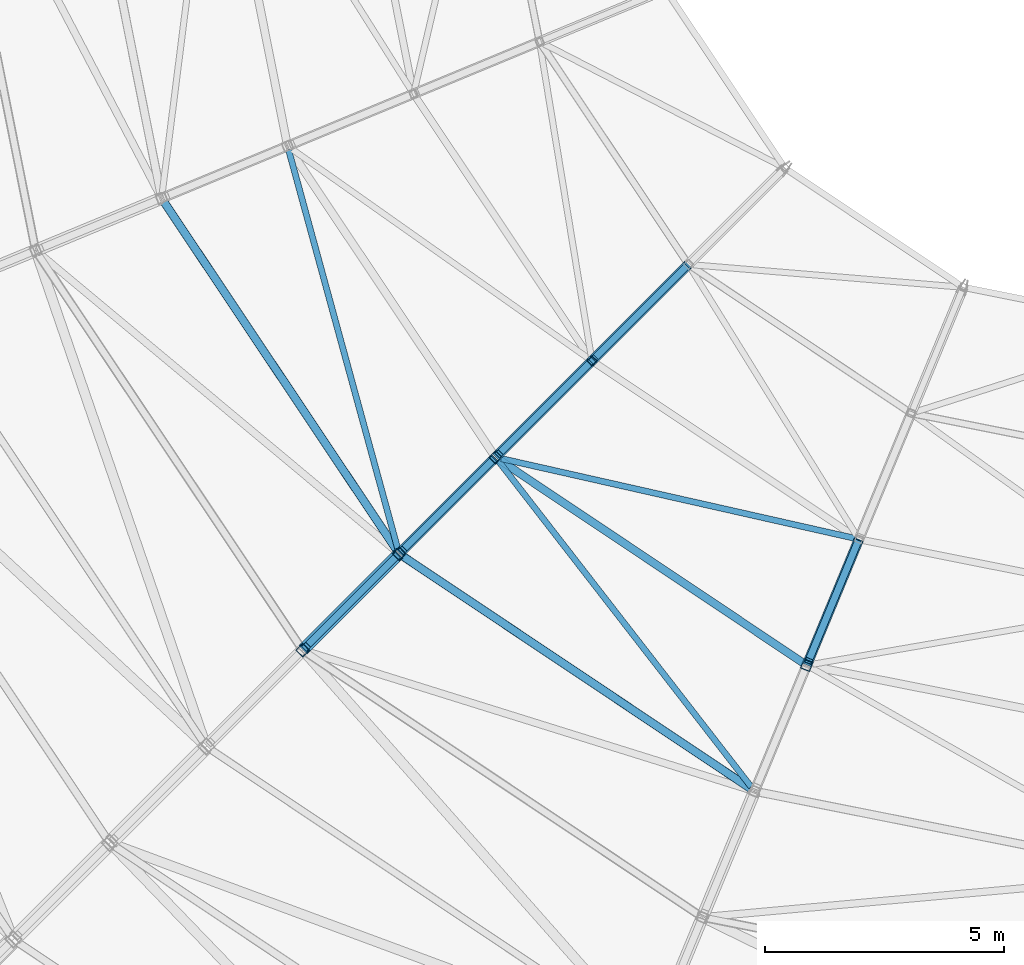
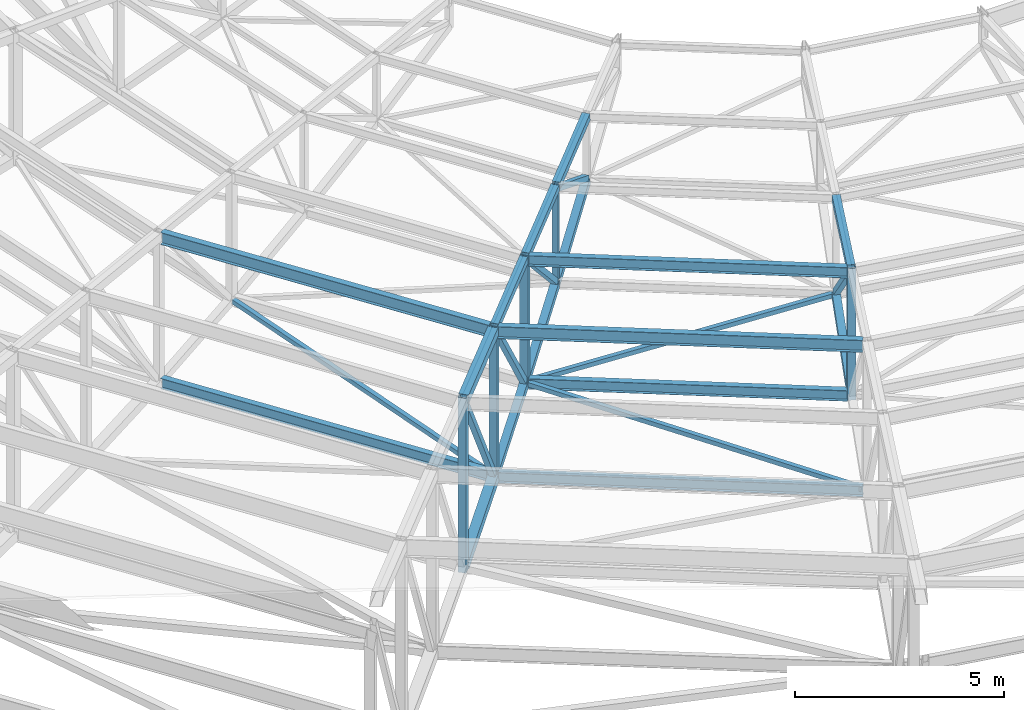
# One storey, part 13 of 278: 15 beams, 14 members.
"""IFC4 building model written with IfcOpenShell, lengths in metres."""

import ifcopenshell
import ifcopenshell.guid

model = None  # the IFC model being written
_history = None  # IfcOwnerHistory: only IFC2X3 demands one
_inside = {}  # id of a spatial element -> (the spatial element, [elements in it])
_under = {}  # id of a project, library or spatial element -> (it, [spatial elements below it])
_declared = {}  # id of a project -> (the project, [libraries it declares])
_typed = {}  # id of a type object -> (the type object, [elements of that type])
_made_of = {}  # id of a material, layer set ... -> (it, [elements and type objects made of it])


def new_model(schema):
    """Start an empty IFC model of exactly this schema.

    Asked for "IFC4X3", IfcOpenShell would pick the latest addendum, in which some entities
    have other attributes; the version numbers below select the first issue.
    IFC2X3 requires an IfcOwnerHistory on every rooted entity: one is made here for all.
    """
    global model, _history
    if schema == "IFC4X3":
        model = ifcopenshell.file(schema_version=(4, 3, 0, 0))
    else:
        model = ifcopenshell.file(schema=schema)
    _inside.clear()
    _under.clear()
    _declared.clear()
    _typed.clear()
    _made_of.clear()
    _history = None
    if model.schema == "IFC2X3":
        org = make("IfcOrganization", Name="unknown")
        user = make(
            "IfcPersonAndOrganization",
            ThePerson=make("IfcPerson", FamilyName="unknown"),
            TheOrganization=org,
        )
        app = make(
            "IfcApplication",
            ApplicationDeveloper=org,
            Version="unknown",
            ApplicationFullName="unknown",
            ApplicationIdentifier="unknown",
        )
        _history = make(
            "IfcOwnerHistory",
            OwningUser=user,
            OwningApplication=app,
            ChangeAction="ADDED",
            CreationDate=0,
        )
    return model


def make(cls, **values):
    """One entity of the class cls with the attributes given. An attribute that is None is left unset."""
    return model.create_entity(
        cls, **{name: value for name, value in values.items() if value is not None}
    )


def rooted(cls, **values):
    """An entity with a GlobalId (a new one), such as an element, a storey or a relation."""
    return make(cls, GlobalId=ifcopenshell.guid.new(), OwnerHistory=_history, **values)


def si_unit(unit_type, name, prefix=None):
    """IfcSIUnit, for example si_unit("LENGTHUNIT", "METRE", prefix="MILLI")."""
    return make("IfcSIUnit", UnitType=unit_type, Prefix=prefix, Name=name)


def assignment(units):
    """IfcUnitAssignment: the units of a project."""
    return None if units is None else make("IfcUnitAssignment", Units=units)


def point(xyz):
    """IfcCartesianPoint."""
    return None if xyz is None else make("IfcCartesianPoint", Coordinates=xyz)


def direction(xyz):
    """IfcDirection."""
    return None if xyz is None else make("IfcDirection", DirectionRatios=xyz)


def frame(location, z_axis=None, x_axis=None):
    """IfcAxis2Placement3D, a coordinate frame: its origin and axes. An axis left out is left unset."""
    return make(
        "IfcAxis2Placement3D",
        Location=point(location),
        Axis=direction(z_axis),
        RefDirection=direction(x_axis),
    )


def frame_2d(location, x_axis=None):
    """IfcAxis2Placement2D, a coordinate frame in the plane: its origin and x axis."""
    return make(
        "IfcAxis2Placement2D", Location=point(location), RefDirection=direction(x_axis)
    )


def origin():
    """The frame at (0, 0, 0) with its axes left unset."""
    return frame((0.0, 0.0, 0.0))


def origin_2d():
    """The frame at (0, 0) in the plane with its x axis left unset."""
    return frame_2d((0.0, 0.0))


def place(relative_to, where):
    """IfcLocalPlacement: puts the frame where relative to a parent placement (None: the world)."""
    return make(
        "IfcLocalPlacement", PlacementRelTo=relative_to, RelativePlacement=where
    )


def context(
    kind, dimensions, precision=None, world=None, true_north=None, identifier=None
):
    """IfcGeometricRepresentationContext, for example the 3D "Model" context."""
    return make(
        "IfcGeometricRepresentationContext",
        ContextIdentifier=identifier,
        ContextType=kind,
        CoordinateSpaceDimension=dimensions,
        Precision=precision,
        WorldCoordinateSystem=world,
        TrueNorth=true_north,
    )


def subcontext(parent, identifier, kind, view, scale=None):
    """IfcGeometricRepresentationSubContext, for example "Body" below "Model"."""
    return make(
        "IfcGeometricRepresentationSubContext",
        ContextIdentifier=identifier,
        ContextType=kind,
        ParentContext=parent,
        TargetScale=scale,
        TargetView=view,
    )


def project(units=None, contexts=None):
    """IfcProject with its units and contexts."""
    return rooted(
        "IfcProject",
        Name="project",
        RepresentationContexts=contexts,
        UnitsInContext=assignment(units),
    )


def spatial(cls, under=None, at=None, **own):
    """A site, building, storey or space (cls), placed at a placement, below another one or the project."""
    s = rooted(cls, ObjectPlacement=at, **own)
    if under is not None:
        _under.setdefault(under.id(), (under, []))[1].append(s)
    return s


def profile(cls, at=None, kind="AREA", **sizes):
    """A parametric profile (cls). Its sizes go by their IFC names, for example OverallWidth=200.0."""
    return make(cls, ProfileType=kind, Position=at, **sizes)


def hollow_rectangle(**sizes):
    """IfcRectangleHollowProfileDef."""
    return profile("IfcRectangleHollowProfileDef", **sizes)


def i_section(**sizes):
    """IfcIShapeProfileDef."""
    return profile("IfcIShapeProfileDef", **sizes)


def extrude(swept, where, along, depth):
    """IfcExtrudedAreaSolid: the profile swept, set in the frame where, extruded along a direction by depth."""
    return make(
        "IfcExtrudedAreaSolid",
        SweptArea=swept,
        Position=where,
        ExtrudedDirection=direction(along),
        Depth=depth,
    )


def shape(context_of_items, identifier, shape_type, items):
    """IfcShapeRepresentation: the items that make up one representation, for example the "Body"."""
    return make(
        "IfcShapeRepresentation",
        ContextOfItems=context_of_items,
        RepresentationIdentifier=identifier,
        RepresentationType=shape_type,
        Items=items,
    )


def material(Name=None, Category=None):
    """IfcMaterial."""
    return make("IfcMaterial", Name=Name, Category=Category)


def material_profile(
    of_material, cross_section, Name=None, Category=None, Priority=None
):
    """IfcMaterialProfile: a cross section and its material."""
    return make(
        "IfcMaterialProfile",
        Name=Name,
        Material=of_material,
        Profile=cross_section,
        Priority=Priority,
        Category=Category,
    )


def profile_set(profiles, Name=None, composite=None):
    """IfcMaterialProfileSet."""
    return make(
        "IfcMaterialProfileSet",
        Name=Name,
        MaterialProfiles=profiles,
        CompositeProfile=composite,
    )


def made_of(thing, what):
    """Note that an element or type object is made of a material, layer set ...; save() writes the relation."""
    if what is not None:
        _made_of.setdefault(what.id(), (what, []))[1].append(thing)
    return thing


def type_object(cls, material=None, **own):
    """A type object (cls), such as IfcWallType, which elements share."""
    return made_of(rooted(cls, **own), material)


def element(
    cls,
    number,
    at=None,
    inside=None,
    cuts=None,
    type_object=None,
    material=None,
    context=None,
    identifier="Body",
    shape_type=None,
    held_by="IfcProductDefinitionShape",
    body=None,
    shapes=None,
    **own,
):
    """One element of the class cls, such as IfcWall. Its Tag is "e" and its number.

    at: its placement. inside: the storey or other place that contains it. cuts: it is an
    opening in that element (IfcRelVoidsElement). A single representation is given by context,
    identifier, shape_type and body (its items); several are given by shapes. held_by: the class
    of the entity that holds the representations. save() writes the other relations.
    """
    e = rooted(cls, Tag="e%d" % number, ObjectPlacement=at, **own)
    if body is not None:
        shapes = [shape(context, identifier, shape_type, body)]
    if shapes is not None:
        e.Representation = make(held_by, Representations=shapes)
    if inside is not None:
        _inside.setdefault(inside.id(), (inside, []))[1].append(e)
    if cuts is not None:
        rooted(
            "IfcRelVoidsElement", RelatingBuildingElement=cuts, RelatedOpeningElement=e
        )
    if type_object is not None:
        _typed.setdefault(type_object.id(), (type_object, []))[1].append(e)
    return made_of(e, material)


def aggregate(whole, parts):
    """IfcRelAggregates: a whole, such as a stair, and the parts it consists of."""
    return rooted("IfcRelAggregates", RelatingObject=whole, RelatedObjects=parts)


def save(model, path):
    """Write the relations noted so far, then the file.

    IfcRelAggregates (storeys below a building ...), IfcRelContainedInSpatialStructure (elements
    in a storey), IfcRelDefinesByType, IfcRelAssociatesMaterial and IfcRelDeclares: one each for
    every whole, place, type object, material and project.
    """
    for whole, parts in _under.values():
        aggregate(whole, parts)
    for where, things in _inside.values():
        rooted(
            "IfcRelContainedInSpatialStructure",
            RelatedElements=things,
            RelatingStructure=where,
        )
    for kind, things in _typed.values():
        rooted("IfcRelDefinesByType", RelatedObjects=things, RelatingType=kind)
    for what, things in _made_of.values():
        rooted("IfcRelAssociatesMaterial", RelatedObjects=things, RelatingMaterial=what)
    for by, libraries in _declared.values():
        rooted("IfcRelDeclares", RelatingContext=by, RelatedDefinitions=libraries)
    model.write(path)


model = new_model("IFC4")

# Units and contexts
model_context = context("Model", 3, precision=1e-05, world=origin(), true_north=direction((0.0, 1.0)))
body_context = subcontext(model_context, "Body", "Model", "MODEL_VIEW")
ifc_project = project(units=[si_unit("LENGTHUNIT", "METRE"), si_unit("AREAUNIT", "SQUARE_METRE"), si_unit("VOLUMEUNIT", "CUBIC_METRE"), si_unit("PLANEANGLEUNIT", "RADIAN"), si_unit("MASSUNIT", "GRAM", prefix="KILO")], contexts=[model_context])

# Site, building, storey
site_placement = place(None, origin())
site = spatial("IfcSite", under=ifc_project, at=site_placement, CompositionType="ELEMENT")
building_placement = place(site_placement, origin())
building = spatial("IfcBuilding", under=site, at=building_placement, Name="Ogive Plaza Stadium", CompositionType="ELEMENT")
storey_placement = place(building_placement, frame((0.0, 0.0, 29.0)))
storey = spatial("IfcBuildingStorey", under=building, at=storey_placement, Name="Roof", CompositionType="ELEMENT", Elevation=29.0)

# Members
ifc_material_1 = material(Name="Steel ASTM A500 Grade C", Category="steel")
ifc_material_profile_1 = material_profile(ifc_material_1, hollow_rectangle(XDim=0.126953125, YDim=0.126953125, WallThickness=0.005859375, at=origin_2d()), Name="HSS5X5X1/4")
ifc_profile_set_1 = profile_set([ifc_material_profile_1], Name="Steel ASTM A500 Grade C")
member_type_1 = type_object("IfcMemberType", Name="Roof plan brace HSS5X5X1/4", PredefinedType="BRACE", material=ifc_profile_set_1)
member_1_placement = place(storey_placement, frame((-40.638916015625, -68.3779296875, 4.206298828125), z_axis=(-0.968099836714, 0.218386127806, -0.122842196891), x_axis=(-0.220052759827, -0.97548797168, 0.0)))
element("IfcMember", 1, at=member_1_placement, inside=storey, type_object=member_type_1, Name="ROOF BRACE B18 3", PredefinedType="BRACE", context=body_context, shape_type="SweptSolid", body=[
    extrude(hollow_rectangle(XDim=0.126953125, YDim=0.126953125, WallThickness=0.005859375, at=origin_2d()), origin(), (0.0, 0.0, 1.0), 7.655517578125),
])
member_2_placement = place(storey_placement, frame((-48.128173828125, -66.740966796875, 3.242431640625), z_axis=(0.610365157138, -0.786839994171, -0.091308260987), x_axis=(0.790140667969, 0.612925545904, 0.0)))
element("IfcMember", 2, at=member_2_placement, inside=storey, type_object=member_type_1, Name="ROOF BRACE B18 4", PredefinedType="BRACE", context=body_context, shape_type="SweptSolid", body=[
    extrude(hollow_rectangle(XDim=0.126953125, YDim=0.126953125, WallThickness=0.005859375, at=origin_2d()), origin(), (0.0, 0.0, 1.0), 8.665771484375),
])
member_3_placement = place(storey_placement, frame((-52.50244140625, -60.25048828125, 3.242431640625), z_axis=(0.262776220921, -0.960526396468, -0.091311003753), x_axis=(0.964555901835, 0.263878593741, 0.0)))
element("IfcMember", 3, at=member_3_placement, inside=storey, type_object=member_type_1, Name="ROOF BRACE B19 4", PredefinedType="BRACE", context=body_context, shape_type="SweptSolid", body=[
    extrude(hollow_rectangle(XDim=0.126953125, YDim=0.126953125, WallThickness=0.005859375, at=origin_2d()), origin(), (0.0, 0.0, 1.0), 8.66552734375),
])
ifc_material_2 = material(Name="Steel ASTM A992 Grade 50", Category="steel")
ifc_material_profile_2 = material_profile(ifc_material_2, i_section(OverallWidth=0.164794921875, OverallDepth=0.310302734375, WebThickness=0.005859375, FlangeThickness=0.009765625, at=origin_2d()), Name="W12X26")
ifc_profile_set_2 = profile_set([ifc_material_profile_2], Name="Steel ASTM A992 Grade 50")
member_type_2 = type_object("IfcMemberType", Name="Roof plan strut W12X26", PredefinedType="STRUT", material=ifc_profile_set_2)
member_4_placement = place(storey_placement, frame((-41.74755859375, -70.973876953125, 3.249755859375), z_axis=(-0.831474896434, 0.555562324677, 0.0), x_axis=(-0.555562324677, -0.831474896434, 0.0)))
element("IfcMember", 4, at=member_4_placement, inside=storey, type_object=member_type_2, Name="ROOF STRUT B18 3", PredefinedType="STRUT", context=body_context, shape_type="SweptSolid", body=[
    extrude(i_section(OverallWidth=0.164794921875, OverallDepth=0.310302734375, WebThickness=0.005859375, FlangeThickness=0.009765625, at=origin_2d()), origin(), (0.0, 0.0, 1.0), 7.643310546875),
])
for number, where, z_axis, x_axis, name in (
    (5, (-42.83837890625, -73.60693359375, 2.43994140625), (-0.831457792785, 0.555587921771, 0.0), (-0.555587921771, -0.831457792785, 0.0), "ROOF STRUT B18 4"),
    (6, (-50.24267578125, -68.617919921875, 2.43994140625), (-0.555587921771, 0.831457792785, 0.0), (-0.831457792785, -0.555587921771, 0.0), "ROOF STRUT B19 4"),
):
    element("IfcMember", number, at=place(storey_placement, frame(where, z_axis=z_axis, x_axis=x_axis)), inside=storey, type_object=member_type_2, Name=name, PredefinedType="STRUT", context=body_context, shape_type="SweptSolid", body=[
        extrude(i_section(OverallWidth=0.164794921875, OverallDepth=0.310302734375, WebThickness=0.005859375, FlangeThickness=0.009765625, at=origin_2d()), origin(), (0.0, 0.0, 1.0), 8.755126953125),
    ])
ifc_material_3 = material(Name="Steel ASTM A992 Grade 50", Category="steel")
ifc_material_profile_3 = material_profile(ifc_material_3, i_section(OverallWidth=0.164794921875, OverallDepth=0.310302734375, WebThickness=0.005859375, FlangeThickness=0.009765625, at=origin_2d()), Name="W12X26")
ifc_profile_set_3 = profile_set([ifc_material_profile_3], Name="Steel ASTM A992 Grade 50")
member_type_3 = type_object("IfcMemberType", Name="Roof purlin W12X26", PredefinedType="PURLIN", material=ifc_profile_set_3)
member_5_placement = place(storey_placement, frame((-41.74755859375, -70.973876953125, 6.84228515625), z_axis=(-0.831474896434, 0.555562324677, 0.0), x_axis=(-0.555562324677, -0.831474896434, 0.0)))
element("IfcMember", 7, at=member_5_placement, inside=storey, type_object=member_type_3, Name="ROOF PURLIN B18 3", PredefinedType="PURLIN", context=body_context, shape_type="SweptSolid", body=[
    extrude(i_section(OverallWidth=0.164794921875, OverallDepth=0.310302734375, WebThickness=0.005859375, FlangeThickness=0.009765625, at=origin_2d()), origin(), (0.0, 0.0, 1.0), 7.643310546875),
])
ifc_material_4 = material(Name="Steel ASTM A992 Grade 50", Category="steel")
ifc_material_profile_4 = material_profile(ifc_material_4, i_section(OverallWidth=0.17138671875, OverallDepth=0.35498046875, WebThickness=0.00732421875, FlangeThickness=0.011474609375, at=origin_2d()), Name="W14X34")
ifc_profile_set_4 = profile_set([ifc_material_profile_4], Name="Steel ASTM A992 Grade 50")
member_type_4 = type_object("IfcMemberType", Name="Roof purlin W14X34", PredefinedType="PURLIN", material=ifc_profile_set_4)
for number, where, z_axis, x_axis, name in (
    (8, (-42.8388671875, -73.6064453125, 6.677490234375), (-0.83147489099, 0.555562332825, 0.0), (-0.555562332825, -0.83147489099, 0.0), "ROOF PURLIN B18 4"),
    (9, (-50.2431640625, -68.617431640625, 6.677490234375), (-0.555562332825, 0.83147489099, 0.0), (-0.83147489099, -0.555562332825, 0.0), "ROOF PURLIN B19 4"),
):
    element("IfcMember", number, at=place(storey_placement, frame(where, z_axis=z_axis, x_axis=x_axis)), inside=storey, type_object=member_type_4, Name=name, PredefinedType="PURLIN", context=body_context, shape_type="SweptSolid", body=[
        extrude(i_section(OverallWidth=0.17138671875, OverallDepth=0.35498046875, WebThickness=0.00732421875, FlangeThickness=0.011474609375, at=origin_2d()), origin(), (0.0, 0.0, 1.0), 8.75390625),
    ])

# Beams
ifc_material_5 = material(Name="Steel ASTM A500 Grade C", Category="steel")
ifc_material_profile_5 = material_profile(ifc_material_5, hollow_rectangle(XDim=0.25390625, YDim=0.25390625, WallThickness=0.01171875, at=origin_2d()), Name="HSS10X10X1/2")
ifc_profile_set_5 = profile_set([ifc_material_profile_5], Name="Steel ASTM A500 Grade C")
beam_type_1 = type_object("IfcBeamType", Name="Roof truss bottom chord HSS10X10X1/2", PredefinedType="BEAM", material=ifc_profile_set_5)
beam_1_placement = place(storey_placement, frame((-50.222412109375, -68.722412109375, 2.433349609375), z_axis=(-0.686330364607, -0.686330364607, -0.240626809059), x_axis=(0.707106781187, -0.707106781187, 0.0)))
element("IfcBeam", 10, at=beam_1_placement, inside=storey, type_object=beam_type_1, Name="ROOF TRUSS T19 BOTTOM CHORD 5", PredefinedType="BEAM", context=body_context, shape_type="SweptSolid", body=[
    extrude(hollow_rectangle(XDim=0.25390625, YDim=0.25390625, WallThickness=0.01171875, at=origin_2d()), origin(), (0.0, 0.0, 1.0), 2.85009765625),
])
ifc_material_6 = material(Name="Steel ASTM A500 Grade C", Category="steel")
ifc_material_profile_6 = material_profile(ifc_material_6, hollow_rectangle(XDim=0.203125, YDim=0.203125, WallThickness=0.01171875, at=origin_2d()), Name="HSS8X8X1/2")
ifc_profile_set_6 = profile_set([ifc_material_profile_6], Name="Steel ASTM A500 Grade C")
beam_type_2 = type_object("IfcBeamType", Name="Roof truss bottom chord HSS8X8X1/2", PredefinedType="BEAM", material=ifc_profile_set_6)
beam_2_placement = place(storey_placement, frame((-40.5947265625, -68.4208984375, 4.208251953125), z_axis=(-0.362478322525, -0.875211905582, -0.320333554327), x_axis=(0.923896818654, -0.382641697258, 0.0)))
element("IfcBeam", 11, at=beam_2_placement, inside=storey, type_object=beam_type_2, Name="ROOF TRUSS T18 BOTTOM CHORD 3", PredefinedType="BEAM", context=body_context, shape_type="SweptSolid", body=[
    extrude(hollow_rectangle(XDim=0.203125, YDim=0.203125, WallThickness=0.01171875, at=origin_2d()), origin(), (0.0, 0.0, 1.0), 2.93115234375),
])
beam_3_placement = place(storey_placement, frame((-44.172607421875, -62.672607421875, 5.299072265625), z_axis=(-0.660282530207, -0.660282530207, -0.357846280696), x_axis=(0.707106781187, -0.707106781187, 0.0)))
element("IfcBeam", 12, at=beam_3_placement, inside=storey, type_object=beam_type_2, Name="ROOF TRUSS T19 BOTTOM CHORD 2", PredefinedType="BEAM", context=body_context, shape_type="SweptSolid", body=[
    extrude(hollow_rectangle(XDim=0.203125, YDim=0.203125, WallThickness=0.01171875, at=origin_2d()), origin(), (0.0, 0.0, 1.0), 3.00048828125),
])
beam_4_placement = place(storey_placement, frame((-46.185302734375, -64.685302734375, 4.208251953125), z_axis=(-0.669842885188, -0.669842885188, -0.32034515499), x_axis=(0.707106781187, -0.707106781187, 0.0)))
element("IfcBeam", 13, at=beam_4_placement, inside=storey, type_object=beam_type_2, Name="ROOF TRUSS T19 BOTTOM CHORD 3", PredefinedType="BEAM", context=body_context, shape_type="SweptSolid", body=[
    extrude(hollow_rectangle(XDim=0.203125, YDim=0.203125, WallThickness=0.01171875, at=origin_2d()), origin(), (0.0, 0.0, 1.0), 2.93115234375),
])
beam_5_placement = place(storey_placement, frame((-48.208740234375, -66.708740234375, 3.2412109375), z_axis=(-0.678564027616, -0.678564027616, -0.281250281514), x_axis=(0.707106781187, -0.707106781187, 0.0)))
element("IfcBeam", 14, at=beam_5_placement, inside=storey, type_object=beam_type_2, Name="ROOF TRUSS T19 BOTTOM CHORD 4", PredefinedType="BEAM", context=body_context, shape_type="SweptSolid", body=[
    extrude(hollow_rectangle(XDim=0.203125, YDim=0.203125, WallThickness=0.01171875, at=origin_2d()), origin(), (0.0, 0.0, 1.0), 2.877685546875),
])

# Members
ifc_material_7 = material(Name="Steel ASTM A500 Grade C", Category="steel")
ifc_material_profile_7 = material_profile(ifc_material_7, hollow_rectangle(XDim=0.15234375, YDim=0.15234375, WallThickness=0.005859375, at=origin_2d()), Name="HSS6X6X1/4")
ifc_profile_set_7 = profile_set([ifc_material_profile_7], Name="Steel ASTM A500 Grade C")
member_type_5 = type_object("IfcMemberType", Name="Roof truss diagonal HSS6X6X1/4", PredefinedType="BRACE", material=ifc_profile_set_7)
member_6_placement = place(storey_placement, frame((-40.611328125, -68.461181640625, 4.315185546875), z_axis=(-0.280576599819, -0.677295435038, 0.680108568767), x_axis=(0.923864270577, -0.382720275855, 0.0)))
element("IfcMember", 15, at=member_6_placement, inside=storey, type_object=member_type_5, Name="ROOF TRUSS T18 DIAGONAL 3", PredefinedType="BRACE", context=body_context, shape_type="SweptSolid", body=[
    extrude(hollow_rectangle(XDim=0.15234375, YDim=0.15234375, WallThickness=0.005859375, at=origin_2d()), origin(), (0.0, 0.0, 1.0), 3.64501953125),
])
member_7_placement = place(storey_placement, frame((-44.200927734375, -62.700927734375, 5.407470703125), z_axis=(-0.61513271655, -0.61513271655, 0.493176927745), x_axis=(0.707106781187, -0.707106781187, 0.0)))
element("IfcMember", 16, at=member_7_placement, inside=storey, type_object=member_type_5, Name="ROOF TRUSS T19 DIAGONAL 2", PredefinedType="BRACE", context=body_context, shape_type="SweptSolid", body=[
    extrude(hollow_rectangle(XDim=0.15234375, YDim=0.15234375, WallThickness=0.005859375, at=origin_2d()), origin(), (0.0, 0.0, 1.0), 3.100830078125),
])
member_8_placement = place(storey_placement, frame((-46.216064453125, -64.716064453125, 4.315185546875), z_axis=(-0.518402991989, -0.518402991989, 0.680085785614), x_axis=(0.707106781187, -0.707106781187, 0.0)))
element("IfcMember", 17, at=member_8_placement, inside=storey, type_object=member_type_5, Name="ROOF TRUSS T19 DIAGONAL 3", PredefinedType="BRACE", context=body_context, shape_type="SweptSolid", body=[
    extrude(hollow_rectangle(XDim=0.15234375, YDim=0.15234375, WallThickness=0.005859375, at=origin_2d()), origin(), (0.0, 0.0, 1.0), 3.64501953125),
])
member_9_placement = place(storey_placement, frame((-48.249267578125, -66.749267578125, 3.3515625), z_axis=(-0.442396624327, -0.442396624327, 0.780109257456), x_axis=(0.707106781187, -0.707106781187, 0.0)))
element("IfcMember", 18, at=member_9_placement, inside=storey, type_object=member_type_5, Name="ROOF TRUSS T19 DIAGONAL 4", PredefinedType="BRACE", context=body_context, shape_type="SweptSolid", body=[
    extrude(hollow_rectangle(XDim=0.15234375, YDim=0.15234375, WallThickness=0.005859375, at=origin_2d()), origin(), (0.0, 0.0, 1.0), 4.23046875),
])
member_10_placement = place(storey_placement, frame((-50.2646484375, -68.7646484375, 2.56689453125), z_axis=(-0.397667434985, -0.397667434985, 0.826874369118), x_axis=(0.707106781187, -0.707106781187, 0.0)))
element("IfcMember", 19, at=member_10_placement, inside=storey, type_object=member_type_5, Name="ROOF TRUSS T19 DIAGONAL 5", PredefinedType="BRACE", context=body_context, shape_type="SweptSolid", body=[
    extrude(hollow_rectangle(XDim=0.15234375, YDim=0.15234375, WallThickness=0.005859375, at=origin_2d()), origin(), (0.0, 0.0, 1.0), 4.706298828125),
])

# Beams
ifc_material_8 = material(Name="Steel ASTM A500 Grade C", Category="steel")
ifc_material_profile_8 = material_profile(ifc_material_8, hollow_rectangle(XDim=0.15234375, YDim=0.15234375, WallThickness=0.0087890625, at=origin_2d()), Name="HSS6X6X3/8")
ifc_profile_set_8 = profile_set([ifc_material_profile_8], Name="Steel ASTM A500 Grade C")
beam_type_3 = type_object("IfcBeamType", Name="Roof truss post HSS6X6X3/8", PredefinedType="BEAM", material=ifc_profile_set_8)
beam_6_placement = place(storey_placement, frame((-46.162353515625, -64.662353515625, 4.112060546875), z_axis=(0.0, 0.0, 1.0), x_axis=(0.707106781187, -0.707106781187, 0.0)))
element("IfcBeam", 20, at=beam_6_placement, inside=storey, type_object=beam_type_3, Name="ROOF TRUSS T19 POST 3", PredefinedType="BEAM", context=body_context, shape_type="SweptSolid", body=[
    extrude(hollow_rectangle(XDim=0.15234375, YDim=0.15234375, WallThickness=0.0087890625, at=origin_2d()), origin(), (0.0, 0.0, 1.0), 3.02783203125),
])
ifc_material_9 = material(Name="Steel ASTM A500 Grade C", Category="steel")
ifc_material_profile_9 = material_profile(ifc_material_9, hollow_rectangle(XDim=0.203125, YDim=0.203125, WallThickness=0.0087890625, at=origin_2d()), Name="HSS8X8X3/8")
ifc_profile_set_9 = profile_set([ifc_material_profile_9], Name="Steel ASTM A500 Grade C")
beam_type_4 = type_object("IfcBeamType", Name="Roof truss post HSS8X8X3/8", PredefinedType="BEAM", material=ifc_profile_set_9)
for number, where, z_axis, x_axis, name in (
    (21, (-41.6728515625, -71.023681640625, 3.148193359375), (0.0, 0.0, 1.0), (0.923879532511, -0.382683432365, 0.0), "ROOF TRUSS T18 POST 4"),
    (22, (-48.177490234375, -66.677490234375, 3.148193359375), (0.0, 0.0, 1.0), (0.707106781187, -0.707106781187, 0.0), "ROOF TRUSS T19 POST 4"),
):
    element("IfcBeam", number, at=place(storey_placement, frame(where, z_axis=z_axis, x_axis=x_axis)), inside=storey, type_object=beam_type_4, Name=name, PredefinedType="BEAM", context=body_context, shape_type="SweptSolid", body=[
        extrude(hollow_rectangle(XDim=0.203125, YDim=0.203125, WallThickness=0.0087890625, at=origin_2d()), origin(), (0.0, 0.0, 1.0), 3.849365234375),
    ])
beam_7_placement = place(storey_placement, frame((-50.192626953125, -68.692626953125, 2.31298828125), z_axis=(0.0, 0.0, 1.0), x_axis=(0.707106781187, -0.707106781187, 0.0)))
element("IfcBeam", 23, at=beam_7_placement, inside=storey, type_object=beam_type_4, Name="ROOF TRUSS T19 POST 5", PredefinedType="BEAM", context=body_context, shape_type="SweptSolid", body=[
    extrude(hollow_rectangle(XDim=0.203125, YDim=0.203125, WallThickness=0.0087890625, at=origin_2d()), origin(), (0.0, 0.0, 1.0), 4.5419921875),
])
beam_8_placement = place(storey_placement, frame((-52.2080078125, -70.7080078125, 1.606201171875), z_axis=(0.0, 0.0, 1.0), x_axis=(0.707106781187, -0.707106781187, 0.0)))
element("IfcBeam", 24, at=beam_8_placement, inside=storey, type_object=beam_type_4, Name="ROOF TRUSS T19 POST 6", PredefinedType="BEAM", context=body_context, shape_type="SweptSolid", body=[
    extrude(hollow_rectangle(XDim=0.203125, YDim=0.203125, WallThickness=0.0087890625, at=origin_2d()), origin(), (0.0, 0.0, 1.0), 5.106201171875),
])
ifc_material_10 = material(Name="Steel ASTM A500 Grade C", Category="steel")
ifc_material_profile_10 = material_profile(ifc_material_10, hollow_rectangle(XDim=0.25390625, YDim=0.25390625, WallThickness=0.0087890625, at=origin_2d()), Name="HSS10X10X3/8")
ifc_profile_set_10 = profile_set([ifc_material_profile_10], Name="Steel ASTM A500 Grade C")
beam_type_5 = type_object("IfcBeamType", Name="Roof truss top chord HSS10X10X3/8", PredefinedType="BEAM", material=ifc_profile_set_10)
beam_9_placement = place(storey_placement, frame((-50.22802734375, -68.72802734375, 6.725341796875), z_axis=(-0.706225209818, -0.706225209818, -0.049918994743), x_axis=(0.707106781187, -0.707106781187, 0.0)))
element("IfcBeam", 25, at=beam_9_placement, inside=storey, type_object=beam_type_5, Name="ROOF TRUSS T19 TOP CHORD 5", PredefinedType="BEAM", context=body_context, shape_type="SweptSolid", body=[
    extrude(hollow_rectangle(XDim=0.25390625, YDim=0.25390625, WallThickness=0.0087890625, at=origin_2d()), origin(), (0.0, 0.0, 1.0), 2.75341796875),
])
ifc_material_11 = material(Name="Steel ASTM A500 Grade C", Category="steel")
ifc_material_profile_11 = material_profile(ifc_material_11, hollow_rectangle(XDim=0.203125, YDim=0.203125, WallThickness=0.0087890625, at=origin_2d()), Name="HSS8X8X3/8")
ifc_profile_set_11 = profile_set([ifc_material_profile_11], Name="Steel ASTM A500 Grade C")
beam_type_6 = type_object("IfcBeamType", Name="Roof truss top chord HSS8X8X3/8", PredefinedType="BEAM", material=ifc_profile_set_11)
beam_10_placement = place(storey_placement, frame((-40.597900390625, -68.4287109375, 7.0361328125), z_axis=(-0.382176583821, -0.922739022917, -0.049937504593), x_axis=(0.923891721509, -0.382654004196, 0.0)))
element("IfcBeam", 26, at=beam_10_placement, inside=storey, type_object=beam_type_6, Name="ROOF TRUSS T18 TOP CHORD 3", PredefinedType="BEAM", context=body_context, shape_type="SweptSolid", body=[
    extrude(hollow_rectangle(XDim=0.203125, YDim=0.203125, WallThickness=0.0087890625, at=origin_2d()), origin(), (0.0, 0.0, 1.0), 2.76220703125),
])
beam_11_placement = place(storey_placement, frame((-44.176025390625, -62.676025390625, 7.1787109375), z_axis=(-0.706223982221, -0.706223982221, -0.049953717305), x_axis=(0.707106781187, -0.707106781187, 0.0)))
element("IfcBeam", 27, at=beam_11_placement, inside=storey, type_object=beam_type_6, Name="ROOF TRUSS T19 TOP CHORD 2", PredefinedType="BEAM", context=body_context, shape_type="SweptSolid", body=[
    extrude(hollow_rectangle(XDim=0.203125, YDim=0.203125, WallThickness=0.0087890625, at=origin_2d()), origin(), (0.0, 0.0, 1.0), 2.771240234375),
])
beam_12_placement = place(storey_placement, frame((-46.19140625, -64.69140625, 7.0361328125), z_axis=(-0.706224483958, -0.706224483958, -0.04993952859), x_axis=(0.707106781187, -0.707106781187, 0.0)))
element("IfcBeam", 28, at=beam_12_placement, inside=storey, type_object=beam_type_6, Name="ROOF TRUSS T19 TOP CHORD 3", PredefinedType="BEAM", context=body_context, shape_type="SweptSolid", body=[
    extrude(hollow_rectangle(XDim=0.203125, YDim=0.203125, WallThickness=0.0087890625, at=origin_2d()), origin(), (0.0, 0.0, 1.0), 2.76220703125),
])
beam_13_placement = place(storey_placement, frame((-48.212890625, -66.712890625, 6.893310546875), z_axis=(-0.706225209818, -0.706225209818, -0.049918994743), x_axis=(0.707106781187, -0.707106781187, 0.0)))
element("IfcBeam", 29, at=beam_13_placement, inside=storey, type_object=beam_type_6, Name="ROOF TRUSS T19 TOP CHORD 4", PredefinedType="BEAM", context=body_context, shape_type="SweptSolid", body=[
    extrude(hollow_rectangle(XDim=0.203125, YDim=0.203125, WallThickness=0.0087890625, at=origin_2d()), origin(), (0.0, 0.0, 1.0), 2.75341796875),
])

save(model, "model.ifc")
